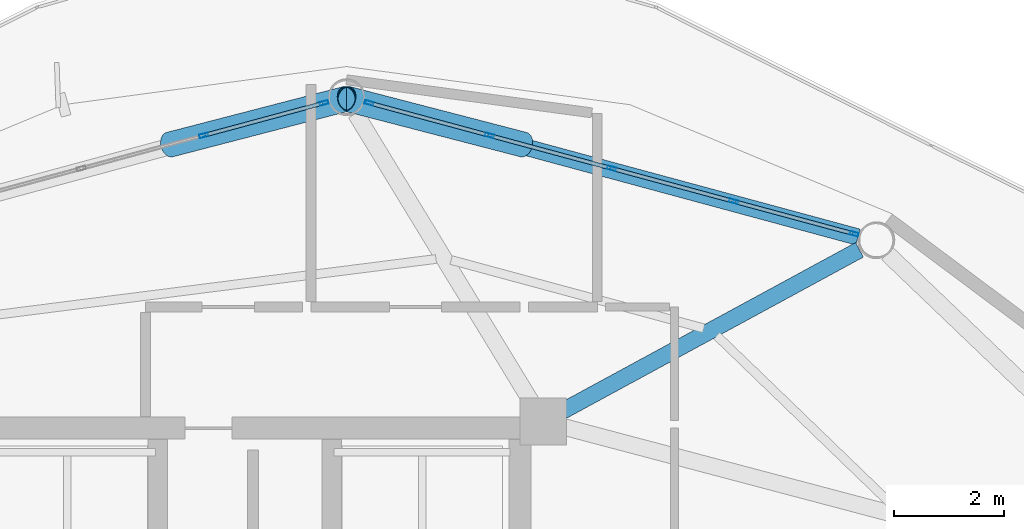
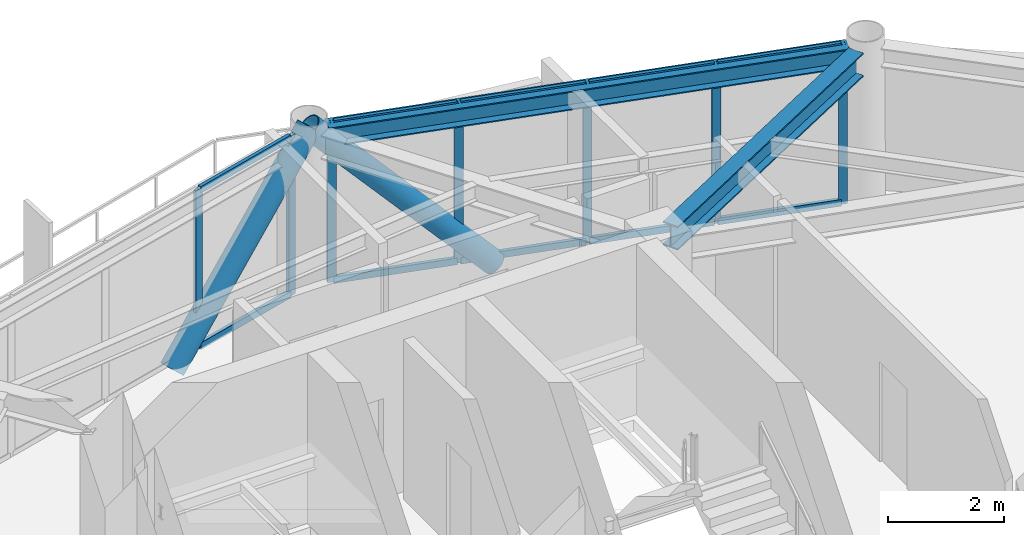
# One storey, part 21 of 28: 19 members, 2 beams, 2 elements without a shape of their own.
"""IFC4 building model written with IfcOpenShell, lengths in metres."""

from ifc_helpers import new_model, si_unit, direction, frame, origin, origin_2d, place, context, subcontext, project, spatial, hollow_rectangle, hollow_circle, i_section, extrude, material, layer, layer_set, material_profile, profile_set, type_object, element, aggregate, save


model = new_model("IFC4")

# Units and contexts
model_context = context("Model", 3, precision=1e-05, world=origin(), true_north=direction((0.0, 1.0)))
body_context = subcontext(model_context, "Body", "Model", "MODEL_VIEW")
ifc_project = project(units=[si_unit("LENGTHUNIT", "METRE"), si_unit("AREAUNIT", "SQUARE_METRE"), si_unit("VOLUMEUNIT", "CUBIC_METRE"), si_unit("PLANEANGLEUNIT", "RADIAN"), si_unit("MASSUNIT", "GRAM", prefix="KILO")], contexts=[model_context])

# Site, building, storey
site_placement = place(None, origin())
site = spatial("IfcSite", under=ifc_project, at=site_placement, CompositionType="ELEMENT")
building_placement = place(site_placement, origin())
building = spatial("IfcBuilding", under=site, at=building_placement, Name="Varnakorn Sky Granary", CompositionType="ELEMENT")
storey_placement = place(building_placement, frame((0.0, 0.0, 200.39990234375)))
storey = spatial("IfcBuildingStorey", under=building, at=storey_placement, Name="L50", CompositionType="ELEMENT", Elevation=200.39990234375)

# Beams
ifc_material_1 = material(Name="Steel S355JR", Category="steel")
ifc_material_profile_1 = material_profile(ifc_material_1, i_section(OverallWidth=0.300048828125, OverallDepth=0.5, WebThickness=0.014404296875, FlangeThickness=0.028076171875, at=origin_2d()), Name="HE 500 B")
ifc_profile_set_1 = profile_set([ifc_material_profile_1], Name="Steel S355JR")
beam_type_1 = type_object("IfcBeamType", Name="BM-RAD-Z4", PredefinedType="BEAM", material=ifc_profile_set_1)
beam_1_placement = place(storey_placement, frame((8.77587890625, 12.813232421875, 3.110107421875), z_axis=(0.878838153398, 0.477120006007, 0.0), x_axis=(-0.477120006007, 0.878838153398, 0.0)))
element("IfcBeam", 1, at=beam_1_placement, inside=storey, type_object=beam_type_1, Name="Radial Floor Girder RG03 L50", PredefinedType="BEAM", context=body_context, shape_type="SweptSolid", body=[
    extrude(i_section(OverallWidth=0.300048828125, OverallDepth=0.5, WebThickness=0.014404296875, FlangeThickness=0.028076171875, at=origin_2d()), origin(), (0.0, 0.0, 1.0), 6.1259765625),
])
ifc_material_profile_2 = material_profile(ifc_material_1, i_section(OverallWidth=0.300048828125, OverallDepth=0.39990234375, WebThickness=0.013427734375, FlangeThickness=0.02392578125, at=origin_2d()), Name="HE 400 B")
ifc_profile_set_2 = profile_set([ifc_material_profile_2], Name="Steel S355JR")
beam_type_2 = type_object("IfcBeamType", Name="BM-SPD-Z4", PredefinedType="SPANDREL", material=ifc_profile_set_2)
beam_2_placement = place(storey_placement, frame((14.13232421875, 15.968505859375, 3.16015625), z_axis=(-0.965318349203, 0.261075630215, 0.0), x_axis=(-0.261075630215, -0.965318349203, 0.0)))
element("IfcBeam", 2, at=beam_2_placement, inside=storey, type_object=beam_type_2, Name="Perimeter Spandrel Ring Beam RB03 L50", PredefinedType="SPANDREL", context=body_context, shape_type="SweptSolid", body=[
    extrude(i_section(OverallWidth=0.300048828125, OverallDepth=0.39990234375, WebThickness=0.013427734375, FlangeThickness=0.02392578125, at=origin_2d()), origin(), (0.0, 0.0, 1.0), 9.30078125),
])

# Curtain wall, members
ifc_material_2 = material(Name="Anodised Bronze Aluminium Alloy 6063-T6", Category="aluminium")
ifc_layer = layer(ifc_material_2, 0.169921875, Name="Anodised Bronze Aluminium Alloy 6063-T6")
ifc_layer_set = layer_set([ifc_layer], Name="Anodised Bronze Aluminium Alloy 6063-T6")
curtain_wall_type = type_object("IfcCurtainWallType", Name="CW-LAB-1", PredefinedType="USERDEFINED", material=ifc_layer_set)
curtain_wall_1_placement = place(storey_placement, origin())
curtain_wall_1 = element("IfcCurtainWall", 3, at=curtain_wall_1_placement, inside=storey, type_object=curtain_wall_type, Name="Unitised Curtain Wall CW5 CW-L50-B03", ObjectType="CURTAIN WALL", PredefinedType="USERDEFINED")
ifc_material_profile_3 = material_profile(ifc_material_2, hollow_rectangle(XDim=0.06494140625, YDim=0.159912109375, WallThickness=0.00341796875, at=origin_2d()), Name="ALU MULL 65x160")
ifc_profile_set_3 = profile_set([ifc_material_profile_3], Name="Anodised Bronze Aluminium Alloy 6063-T6")
member_type_1 = type_object("IfcMemberType", Name="CW-LAB-1-MULL", PredefinedType="MULLION", material=ifc_profile_set_3)
member_1_placement = place(storey_placement, frame((5.2578125, 18.40283203125, 0.0), z_axis=(0.0, 0.0, 1.0), x_axis=(0.260643020154, 0.965435246946, 0.0)))
member_1 = element("IfcMember", 4, at=member_1_placement, type_object=member_type_1, Name="CW5 mullion 1", PredefinedType="MULLION", context=body_context, shape_type="SweptSolid", body=[
    extrude(hollow_rectangle(XDim=0.06494140625, YDim=0.159912109375, WallThickness=0.00341796875, at=origin_2d()), origin(), (0.0, 0.0, 1.0), 3.360107421875),
])
member_2_placement = place(storey_placement, frame((7.443359375, 17.81298828125, 0.0), z_axis=(0.0, 0.0, 1.0), x_axis=(0.260643020154, 0.965435246946, 0.0)))
member_2 = element("IfcMember", 5, at=member_2_placement, type_object=member_type_1, Name="CW5 mullion 2", PredefinedType="MULLION", context=body_context, shape_type="SweptSolid", body=[
    extrude(hollow_rectangle(XDim=0.06494140625, YDim=0.159912109375, WallThickness=0.00341796875, at=origin_2d()), origin(), (0.0, 0.0, 1.0), 3.360107421875),
])
member_3_placement = place(storey_placement, frame((9.66015625, 17.21435546875, 0.0), z_axis=(0.0, 0.0, 1.0), x_axis=(0.260643020154, 0.965435246946, 0.0)))
member_3 = element("IfcMember", 6, at=member_3_placement, type_object=member_type_1, Name="CW5 mullion 3", PredefinedType="MULLION", context=body_context, shape_type="SweptSolid", body=[
    extrude(hollow_rectangle(XDim=0.06494140625, YDim=0.159912109375, WallThickness=0.00341796875, at=origin_2d()), origin(), (0.0, 0.0, 1.0), 3.360107421875),
])
member_4_placement = place(storey_placement, frame((11.877197265625, 16.615966796875, 0.0), z_axis=(0.0, 0.0, 1.0), x_axis=(0.260643020154, 0.965435246946, 0.0)))
member_4 = element("IfcMember", 7, at=member_4_placement, type_object=member_type_1, Name="CW5 mullion 4", PredefinedType="MULLION", context=body_context, shape_type="SweptSolid", body=[
    extrude(hollow_rectangle(XDim=0.06494140625, YDim=0.159912109375, WallThickness=0.00341796875, at=origin_2d()), origin(), (0.0, 0.0, 1.0), 3.360107421875),
])
member_5_placement = place(storey_placement, frame((14.062744140625, 16.02587890625, 0.0), z_axis=(0.0, 0.0, 1.0), x_axis=(0.260643020154, 0.965435246946, 0.0)))
member_5 = element("IfcMember", 8, at=member_5_placement, type_object=member_type_1, Name="CW5 mullion 5", PredefinedType="MULLION", context=body_context, shape_type="SweptSolid", body=[
    extrude(hollow_rectangle(XDim=0.06494140625, YDim=0.159912109375, WallThickness=0.00341796875, at=origin_2d()), origin(), (0.0, 0.0, 1.0), 3.360107421875),
])

curtain_wall_2_placement = place(storey_placement, origin())
curtain_wall_2 = element("IfcCurtainWall", 9, at=curtain_wall_2_placement, inside=storey, type_object=curtain_wall_type, Name="Unitised Curtain Wall CW5 CW-L50-B04", ObjectType="CURTAIN WALL", PredefinedType="USERDEFINED")
member_6_placement = place(storey_placement, frame((2.256591796875, 17.81298828125, 0.0), z_axis=(0.0, 0.0, 1.0), x_axis=(-0.260643020154, 0.965435246946, 0.0)))
member_6 = element("IfcMember", 10, at=member_6_placement, type_object=member_type_1, Name="CW5 mullion 4", PredefinedType="MULLION", context=body_context, shape_type="SweptSolid", body=[
    extrude(hollow_rectangle(XDim=0.06494140625, YDim=0.159912109375, WallThickness=0.00341796875, at=origin_2d()), origin(), (0.0, 0.0, 1.0), 3.360107421875),
])
member_7_placement = place(storey_placement, frame((4.442138671875, 18.40283203125, 0.0), z_axis=(0.0, 0.0, 1.0), x_axis=(-0.260643020154, 0.965435246946, 0.0)))
member_7 = element("IfcMember", 11, at=member_7_placement, type_object=member_type_1, Name="CW5 mullion 5", PredefinedType="MULLION", context=body_context, shape_type="SweptSolid", body=[
    extrude(hollow_rectangle(XDim=0.06494140625, YDim=0.159912109375, WallThickness=0.00341796875, at=origin_2d()), origin(), (0.0, 0.0, 1.0), 3.360107421875),
])

# Member
ifc_material_profile_4 = material_profile(ifc_material_2, hollow_rectangle(XDim=0.070068359375, YDim=0.139892578125, WallThickness=0.00341796875, at=origin_2d()), Name="ALU TRAN 70x140")
ifc_profile_set_4 = profile_set([ifc_material_profile_4], Name="Anodised Bronze Aluminium Alloy 6063-T6")
member_type_2 = type_object("IfcMemberType", Name="CW-LAB-1-TRAN", PredefinedType="USERDEFINED", material=ifc_profile_set_4)
member_8_placement = place(storey_placement, frame((5.289306640625, 18.39453125, 0.03515625), z_axis=(0.965419302327, -0.26070207267, 0.0), x_axis=(0.26070207267, 0.965419302327, 0.0)))
member_8 = element("IfcMember", 12, at=member_8_placement, type_object=member_type_2, Name="CW5 transom 1.1", ObjectType="TRANSOM", PredefinedType="USERDEFINED", context=body_context, shape_type="SweptSolid", body=[
    extrude(hollow_rectangle(XDim=0.070068359375, YDim=0.139892578125, WallThickness=0.00341796875, at=origin_2d()), origin(), (0.0, 0.0, 1.0), 2.19873046875),
])

member_9_placement = place(storey_placement, frame((5.289306640625, 18.39453125, 3.3251953125), z_axis=(0.965419302327, -0.26070207267, 0.0), x_axis=(0.26070207267, 0.965419302327, 0.0)))
member_9 = element("IfcMember", 13, at=member_9_placement, type_object=member_type_2, Name="CW5 transom 1.2", ObjectType="TRANSOM", PredefinedType="USERDEFINED", context=body_context, shape_type="SweptSolid", body=[
    extrude(hollow_rectangle(XDim=0.070068359375, YDim=0.139892578125, WallThickness=0.00341796875, at=origin_2d()), origin(), (0.0, 0.0, 1.0), 2.19873046875),
])

member_10_placement = place(storey_placement, frame((7.474853515625, 17.804443359375, 0.03515625), z_axis=(0.965434865019, -0.260644434827, 0.0), x_axis=(0.260644434827, 0.965434865019, 0.0)))
member_10 = element("IfcMember", 14, at=member_10_placement, type_object=member_type_2, Name="CW5 transom 2.1", ObjectType="TRANSOM", PredefinedType="USERDEFINED", context=body_context, shape_type="SweptSolid", body=[
    extrude(hollow_rectangle(XDim=0.070068359375, YDim=0.139892578125, WallThickness=0.00341796875, at=origin_2d()), origin(), (0.0, 0.0, 1.0), 2.231201171875),
])

member_11_placement = place(storey_placement, frame((7.474853515625, 17.804443359375, 3.3251953125), z_axis=(0.965434865019, -0.260644434827, 0.0), x_axis=(0.260644434827, 0.965434865019, 0.0)))
member_11 = element("IfcMember", 15, at=member_11_placement, type_object=member_type_2, Name="CW5 transom 2.2", ObjectType="TRANSOM", PredefinedType="USERDEFINED", context=body_context, shape_type="SweptSolid", body=[
    extrude(hollow_rectangle(XDim=0.070068359375, YDim=0.139892578125, WallThickness=0.00341796875, at=origin_2d()), origin(), (0.0, 0.0, 1.0), 2.231201171875),
])

member_12_placement = place(storey_placement, frame((9.691650390625, 17.205810546875, 0.03515625), z_axis=(0.965434865019, -0.260644434827, 0.0), x_axis=(0.260644434827, 0.965434865019, 0.0)))
member_12 = element("IfcMember", 16, at=member_12_placement, type_object=member_type_2, Name="CW5 transom 3.1", ObjectType="TRANSOM", PredefinedType="USERDEFINED", context=body_context, shape_type="SweptSolid", body=[
    extrude(hollow_rectangle(XDim=0.070068359375, YDim=0.139892578125, WallThickness=0.00341796875, at=origin_2d()), origin(), (0.0, 0.0, 1.0), 2.231201171875),
])

member_13_placement = place(storey_placement, frame((9.691650390625, 17.205810546875, 3.3251953125), z_axis=(0.965434865019, -0.260644434827, 0.0), x_axis=(0.260644434827, 0.965434865019, 0.0)))
member_13 = element("IfcMember", 17, at=member_13_placement, type_object=member_type_2, Name="CW5 transom 3.2", ObjectType="TRANSOM", PredefinedType="USERDEFINED", context=body_context, shape_type="SweptSolid", body=[
    extrude(hollow_rectangle(XDim=0.070068359375, YDim=0.139892578125, WallThickness=0.00341796875, at=origin_2d()), origin(), (0.0, 0.0, 1.0), 2.231201171875),
])

member_14_placement = place(storey_placement, frame((11.908447265625, 16.607421875, 0.03515625), z_axis=(0.965447242765, -0.260598582952, 0.0), x_axis=(0.260598582952, 0.965447242765, 0.0)))
member_14 = element("IfcMember", 18, at=member_14_placement, type_object=member_type_2, Name="CW5 transom 4.1", ObjectType="TRANSOM", PredefinedType="USERDEFINED", context=body_context, shape_type="SweptSolid", body=[
    extrude(hollow_rectangle(XDim=0.070068359375, YDim=0.139892578125, WallThickness=0.00341796875, at=origin_2d()), origin(), (0.0, 0.0, 1.0), 2.19873046875),
])

member_15_placement = place(storey_placement, frame((11.908447265625, 16.607421875, 3.3251953125), z_axis=(0.965447242765, -0.260598582952, 0.0), x_axis=(0.260598582952, 0.965447242765, 0.0)))
member_15 = element("IfcMember", 19, at=member_15_placement, type_object=member_type_2, Name="CW5 transom 4.2", ObjectType="TRANSOM", PredefinedType="USERDEFINED", context=body_context, shape_type="SweptSolid", body=[
    extrude(hollow_rectangle(XDim=0.070068359375, YDim=0.139892578125, WallThickness=0.00341796875, at=origin_2d()), origin(), (0.0, 0.0, 1.0), 2.19873046875),
])

aggregate(curtain_wall_1, [member_1, member_2, member_3, member_4, member_5, member_8, member_9, member_10, member_11, member_12, member_13, member_14, member_15])

member_16_placement = place(storey_placement, frame((2.2880859375, 17.8212890625, 0.03515625), z_axis=(0.965411754791, 0.260730020733, 0.0), x_axis=(-0.260730020733, 0.965411754791, 0.0)))
member_16 = element("IfcMember", 20, at=member_16_placement, type_object=member_type_2, Name="CW5 transom 4.1", ObjectType="TRANSOM", PredefinedType="USERDEFINED", context=body_context, shape_type="SweptSolid", body=[
    extrude(hollow_rectangle(XDim=0.070068359375, YDim=0.139892578125, WallThickness=0.00341796875, at=origin_2d()), origin(), (0.0, 0.0, 1.0), 2.198486328125),
])

member_17_placement = place(storey_placement, frame((2.2880859375, 17.8212890625, 3.3251953125), z_axis=(0.965411754791, 0.260730020733, 0.0), x_axis=(-0.260730020733, 0.965411754791, 0.0)))
member_17 = element("IfcMember", 21, at=member_17_placement, type_object=member_type_2, Name="CW5 transom 4.2", ObjectType="TRANSOM", PredefinedType="USERDEFINED", context=body_context, shape_type="SweptSolid", body=[
    extrude(hollow_rectangle(XDim=0.070068359375, YDim=0.139892578125, WallThickness=0.00341796875, at=origin_2d()), origin(), (0.0, 0.0, 1.0), 2.198486328125),
])

aggregate(curtain_wall_2, [member_6, member_7, member_16, member_17])

# Members
ifc_material_3 = material(Name="Steel S460M", Category="steel")
ifc_material_profile_5 = material_profile(ifc_material_3, hollow_circle(Radius=0.228515625, WallThickness=0.01611328125, at=origin_2d()), Name="CHS 457x16")
ifc_profile_set_5 = profile_set([ifc_material_profile_5], Name="Steel S460M")
member_type_3 = type_object("IfcMemberType", Name="MB-DIAG-T3", PredefinedType="BRACE", material=ifc_profile_set_5)
for number, where, z_axis, x_axis, name in (
    (22, (8.056884765625, 17.647216796875, -0.1298828125), (-0.666414018442, 0.172856685256, 0.725267483337), (-0.251074686912, -0.967967717226, 0.0), "Perimeter CHS Diagrid Brace DG03 L50"),
    (23, (1.643310546875, 17.647216796875, -0.1298828125), (0.666414018442, 0.172856685256, 0.725267483337), (-0.251074686912, 0.967967717226, 0.0), "Perimeter CHS Diagrid Brace DG04 L50"),
):
    element("IfcMember", number, at=place(storey_placement, frame(where, z_axis=z_axis, x_axis=x_axis)), inside=storey, type_object=member_type_3, Name=name, PredefinedType="BRACE", context=body_context, shape_type="SweptSolid", body=[
        extrude(hollow_circle(Radius=0.228515625, WallThickness=0.01611328125, at=origin_2d()), origin(), (0.0, 0.0, 1.0), 4.81201171875),
    ])

save(model, "model.ifc")
